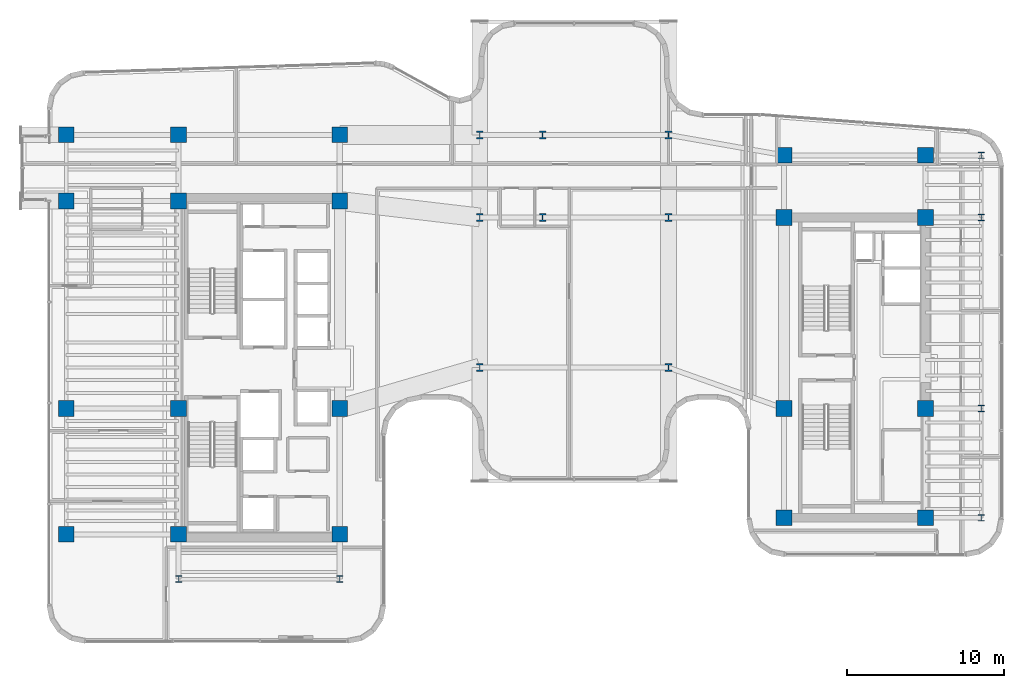
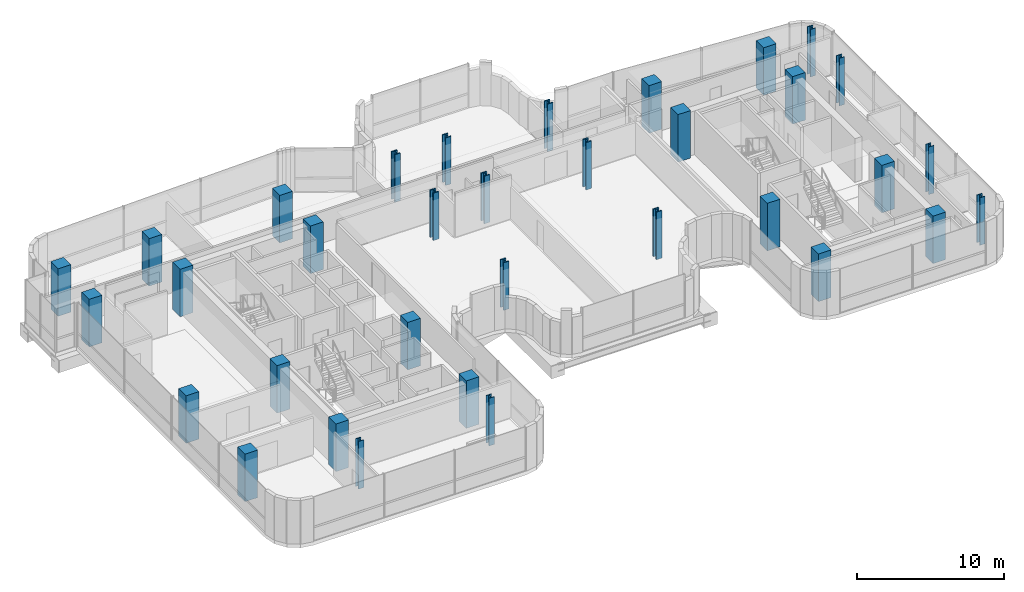
# One storey, part 1 of 37: 34 columns.
"""IFC4 building model written with IfcOpenShell, lengths in metres."""

from ifc_helpers import new_model, si_unit, direction, frame, origin, origin_2d, place, context, subcontext, project, spatial, rectangle, i_section, extrude, source, transform, mapped, material, material_profile, profile_set, type_object, element, save


model = new_model("IFC4")

# Units and contexts
model_context = context("Model", 3, precision=1e-05, world=origin(), true_north=direction((0.0, 1.0)))
body_context = subcontext(model_context, "Body", "Model", "MODEL_VIEW")
ifc_project = project(units=[si_unit("LENGTHUNIT", "METRE"), si_unit("AREAUNIT", "SQUARE_METRE"), si_unit("VOLUMEUNIT", "CUBIC_METRE"), si_unit("PLANEANGLEUNIT", "RADIAN"), si_unit("MASSUNIT", "GRAM", prefix="KILO")], contexts=[model_context])

# Site, building, storey
site_placement = place(None, origin())
site = spatial("IfcSite", under=ifc_project, at=site_placement, CompositionType="ELEMENT")
building_placement = place(site_placement, origin())
building = spatial("IfcBuilding", under=site, at=building_placement, Name="Valdorenza Pilgrim Sanctuary Tower", CompositionType="ELEMENT")
storey_placement = place(building_placement, frame((0.0, 0.0, 188.39990234375)))
storey = spatial("IfcBuildingStorey", under=building, at=storey_placement, Name="L48", CompositionType="ELEMENT", Elevation=188.39990234375)

# Columns
ifc_material_1 = material(Name="Concrete C50/60", Category="concrete")
ifc_material_profile_1 = material_profile(ifc_material_1, rectangle(XDim=1.0, YDim=1.0, at=origin_2d()), Name="RC 1000x1000")
ifc_profile_set_1 = profile_set([ifc_material_profile_1], Name="Concrete C50/60")
column_type_1 = type_object("IfcColumnType", Name="COL-Z3-1000", PredefinedType="COLUMN", material=ifc_profile_set_1)
shared_shape_1 = source(origin(), body_context, "Body", "SweptSolid", [
    extrude(rectangle(XDim=1.0, YDim=1.0, at=origin_2d()), origin(), (0.0, 0.0, 1.0), 3.9501953125),
])
for number, where, z_axis, x_axis, name in (
    (1, (-29.800048828125, -10.60009765625, 0.0), (0.0, 0.0, 1.0), (1.0, 0.0, 0.0), "L48 Perimeter Column WA-W-S1"),
    (2, (-22.64990234375, -10.60009765625, 0.0), (0.0, 0.0, 1.0), (1.0, 0.0, 0.0), "L48 Column CA-W-S1"),
    (3, (-12.39990234375, -10.60009765625, 0.0), (0.0, 0.0, 1.0), (1.0, 0.0, 0.0), "L48 Column CA-E-S1"),
    (4, (-29.800048828125, -2.60009765625, 0.0), (0.0, 0.0, 1.0), (1.0, 0.0, 0.0), "L48 Perimeter Column WA-W-M0"),
    (5, (-22.64990234375, -2.60009765625, 0.0), (0.0, 0.0, 1.0), (1.0, 0.0, 0.0), "L48 Column CA-W-M0"),
    (6, (-12.39990234375, -2.60009765625, 0.0), (0.0, 0.0, 1.0), (1.0, 0.0, 0.0), "L48 Column CA-E-M0"),
    (7, (-29.800048828125, 10.60009765625, 0.0), (0.0, 0.0, 1.0), (1.0, 0.0, 0.0), "L48 Perimeter Column WA-W-N1"),
    (8, (-22.64990234375, 10.60009765625, 0.0), (0.0, 0.0, 1.0), (1.0, 0.0, 0.0), "L48 Column CA-W-N1"),
    (9, (-12.39990234375, 10.60009765625, 0.0), (0.0, 0.0, 1.0), (1.0, 0.0, 0.0), "L48 Column CA-E-N1"),
    (10, (-29.800048828125, 14.800048828125, 0.0), (0.0, 0.0, 1.0), (1.0, 0.0, 0.0), "L48 Perimeter Column WA-W-N2"),
    (11, (-22.64990234375, 14.800048828125, 0.0), (0.0, 0.0, 1.0), (1.0, 0.0, 0.0), "L48 Column CA-W-N2"),
    (12, (-12.39990234375, 14.800048828125, 0.0), (0.0, 0.0, 1.0), (1.0, 0.0, 0.0), "L48 Column CA-E-N2"),
    (13, (15.85009765625, -9.550048828125, 0.0), (0.0, 0.0, 1.0), (1.0, 0.0, 0.0), "L48 Column CB-W-S1"),
    (14, (24.85009765625, -9.550048828125, 0.0), (0.0, 0.0, 1.0), (1.0, 0.0, 0.0), "L48 Column CB-E-S1"),
    (15, (15.85009765625, -2.60009765625, 0.0), (0.0, 0.0, 1.0), (1.0, 0.0, 0.0), "L48 Column CB-W-M0"),
    (16, (24.85009765625, -2.60009765625, 0.0), (0.0, 0.0, 1.0), (1.0, 0.0, 0.0), "L48 Column CB-E-M0"),
    (17, (15.85009765625, 9.550048828125, 0.0), (0.0, 0.0, 1.0), (1.0, 0.0, 0.0), "L48 Column CB-W-N1"),
    (18, (24.85009765625, 9.550048828125, 0.0), (0.0, 0.0, 1.0), (1.0, 0.0, 0.0), "L48 Column CB-E-N1"),
    (19, (15.85009765625, 13.5, 0.0), (0.0, 0.0, 1.0), (1.0, 0.0, 0.0), "L48 Column CB-W-N2"),
    (20, (24.85009765625, 13.5, 0.0), (0.0, 0.0, 1.0), (1.0, 0.0, 0.0), "L48 Column CB-E-N2"),
):
    element("IfcColumn", number, at=place(storey_placement, frame(where, z_axis=z_axis, x_axis=x_axis)), inside=storey, type_object=column_type_1, Name=name, PredefinedType="COLUMN", context=body_context, shape_type="MappedRepresentation", body=[
        mapped(shared_shape_1, transform((0.0, 0.0, 0.0), x_axis=(1.0, 0.0, 0.0), y_axis=(0.0, 1.0, 0.0), z_axis=(0.0, 0.0, 1.0), scale=1.0)),
    ])
ifc_material_2 = material(Name="Steel ASTM A992 Grade 50", Category="steel")
ifc_material_profile_2 = material_profile(ifc_material_2, i_section(OverallWidth=0.412109375, OverallDepth=0.43505859375, WebThickness=0.035888671875, FlangeThickness=0.057373046875, at=origin_2d()), Name="W14X311")
ifc_profile_set_2 = profile_set([ifc_material_profile_2], Name="Steel ASTM A992 Grade 50")
column_type_2 = type_object("IfcColumnType", Name="COL-STL-W311", PredefinedType="COLUMN", material=ifc_profile_set_2)
shared_shape_2 = source(origin(), body_context, "Body", "SweptSolid", [
    extrude(i_section(OverallWidth=0.412109375, OverallDepth=0.43505859375, WebThickness=0.035888671875, FlangeThickness=0.057373046875, at=origin_2d()), origin(), (0.0, 0.0, 1.0), 3.9501953125),
])
for number, where, z_axis, x_axis, name in (
    (21, (-22.64990234375, -13.449951171875, 0.0), (0.0, 0.0, 1.0), (1.0, 0.0, 0.0), "L48 Column WA-S-W"),
    (22, (-12.39990234375, -13.449951171875, 0.0), (0.0, 0.0, 1.0), (1.0, 0.0, 0.0), "L48 Column WA-S-E"),
    (23, (28.39990234375, -9.550048828125, 0.0), (0.0, 0.0, 1.0), (1.0, 0.0, 0.0), "L48 Perimeter Column WB-E-S1"),
    (24, (28.39990234375, -2.60009765625, 0.0), (0.0, 0.0, 1.0), (1.0, 0.0, 0.0), "L48 Perimeter Column WB-E-M0"),
    (25, (28.39990234375, 9.550048828125, 0.0), (0.0, 0.0, 1.0), (1.0, 0.0, 0.0), "L48 Perimeter Column WB-E-N1"),
    (26, (28.39990234375, 13.5, 0.0), (0.0, 0.0, 1.0), (1.0, 0.0, 0.0), "L48 Perimeter Column WB-E-N2"),
):
    element("IfcColumn", number, at=place(storey_placement, frame(where, z_axis=z_axis, x_axis=x_axis)), inside=storey, type_object=column_type_2, Name=name, PredefinedType="COLUMN", context=body_context, shape_type="MappedRepresentation", body=[
        mapped(shared_shape_2, transform((0.0, 0.0, 0.0), x_axis=(1.0, 0.0, 0.0), y_axis=(0.0, 1.0, 0.0), z_axis=(0.0, 0.0, 1.0), scale=1.0)),
    ])
ifc_material_profile_3 = material_profile(ifc_material_2, i_section(OverallWidth=0.431884765625, OverallDepth=0.498046875, WebThickness=0.0556640625, FlangeThickness=0.0888671875, at=origin_2d()), Name="W14X500")
ifc_profile_set_3 = profile_set([ifc_material_profile_3], Name="Steel ASTM A992 Grade 50")
column_type_3 = type_object("IfcColumnType", Name="COL-STL-W500", PredefinedType="COLUMN", material=ifc_profile_set_3)
shared_shape_3 = source(origin(), body_context, "Body", "SweptSolid", [
    extrude(i_section(OverallWidth=0.431884765625, OverallDepth=0.498046875, WebThickness=0.0556640625, FlangeThickness=0.0888671875, at=origin_2d()), origin(), (0.0, 0.0, 1.0), 3.9501953125),
])
for number, where, z_axis, x_axis, name in (
    (27, (-3.5, 0.0, 0.0), (0.0, 0.0, 1.0), (1.0, 0.0, 0.0), "L48 Column PRY-W0"),
    (28, (-3.5, 9.550048828125, 0.0), (0.0, 0.0, 1.0), (1.0, 0.0, 0.0), "L48 Column PRY-W1"),
    (29, (-3.5, 14.800048828125, 0.0), (0.0, 0.0, 1.0), (1.0, 0.0, 0.0), "L48 Column PRY-W2"),
    (30, (8.5, 0.0, 0.0), (0.0, 0.0, 1.0), (1.0, 0.0, 0.0), "L48 Column PRY-E0"),
    (31, (8.5, 9.550048828125, 0.0), (0.0, 0.0, 1.0), (1.0, 0.0, 0.0), "L48 Column PRY-E1"),
    (32, (8.5, 14.800048828125, 0.0), (0.0, 0.0, 1.0), (1.0, 0.0, 0.0), "L48 Column PRY-E2"),
    (33, (0.5, 9.550048828125, 0.0), (0.0, 0.0, 1.0), (1.0, 0.0, 0.0), "L48 Column PRY-TB1"),
    (34, (0.5, 14.800048828125, 0.0), (0.0, 0.0, 1.0), (1.0, 0.0, 0.0), "L48 Column PRY-TB2"),
):
    element("IfcColumn", number, at=place(storey_placement, frame(where, z_axis=z_axis, x_axis=x_axis)), inside=storey, type_object=column_type_3, Name=name, PredefinedType="COLUMN", context=body_context, shape_type="MappedRepresentation", body=[
        mapped(shared_shape_3, transform((0.0, 0.0, 0.0), x_axis=(1.0, 0.0, 0.0), y_axis=(0.0, 1.0, 0.0), z_axis=(0.0, 0.0, 1.0), scale=1.0)),
    ])

save(model, "model.ifc")
